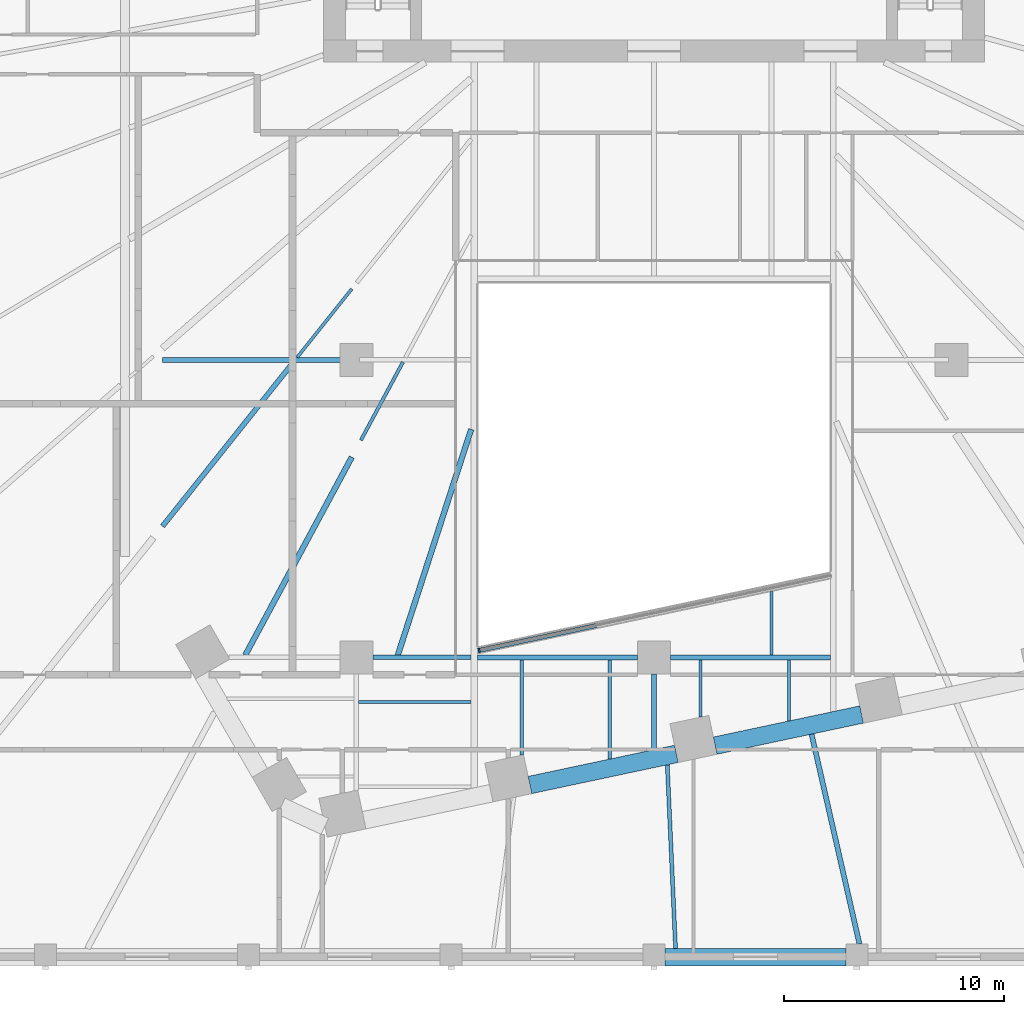
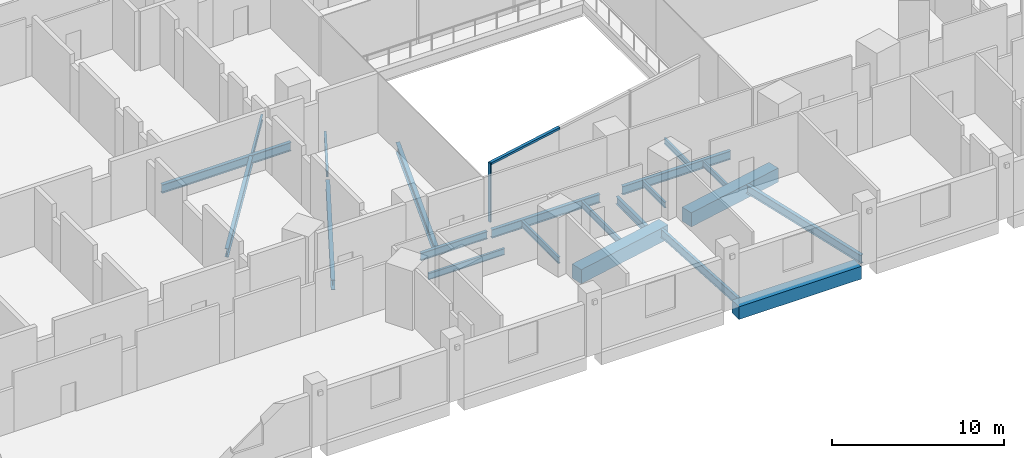
# One storey, part 2 of 33: 21 beams, 2 members, 1 element without a shape of its own.
"""IFC4 building model written with IfcOpenShell, lengths in metres."""

import ifcopenshell
import ifcopenshell.guid

model = None  # the IFC model being written
_history = None  # IfcOwnerHistory: only IFC2X3 demands one
_inside = {}  # id of a spatial element -> (the spatial element, [elements in it])
_under = {}  # id of a project, library or spatial element -> (it, [spatial elements below it])
_declared = {}  # id of a project -> (the project, [libraries it declares])
_typed = {}  # id of a type object -> (the type object, [elements of that type])
_made_of = {}  # id of a material, layer set ... -> (it, [elements and type objects made of it])


def new_model(schema):
    """Start an empty IFC model of exactly this schema.

    Asked for "IFC4X3", IfcOpenShell would pick the latest addendum, in which some entities
    have other attributes; the version numbers below select the first issue.
    IFC2X3 requires an IfcOwnerHistory on every rooted entity: one is made here for all.
    """
    global model, _history
    if schema == "IFC4X3":
        model = ifcopenshell.file(schema_version=(4, 3, 0, 0))
    else:
        model = ifcopenshell.file(schema=schema)
    _inside.clear()
    _under.clear()
    _declared.clear()
    _typed.clear()
    _made_of.clear()
    _history = None
    if model.schema == "IFC2X3":
        org = make("IfcOrganization", Name="unknown")
        user = make(
            "IfcPersonAndOrganization",
            ThePerson=make("IfcPerson", FamilyName="unknown"),
            TheOrganization=org,
        )
        app = make(
            "IfcApplication",
            ApplicationDeveloper=org,
            Version="unknown",
            ApplicationFullName="unknown",
            ApplicationIdentifier="unknown",
        )
        _history = make(
            "IfcOwnerHistory",
            OwningUser=user,
            OwningApplication=app,
            ChangeAction="ADDED",
            CreationDate=0,
        )
    return model


def make(cls, **values):
    """One entity of the class cls with the attributes given. An attribute that is None is left unset."""
    return model.create_entity(
        cls, **{name: value for name, value in values.items() if value is not None}
    )


def rooted(cls, **values):
    """An entity with a GlobalId (a new one), such as an element, a storey or a relation."""
    return make(cls, GlobalId=ifcopenshell.guid.new(), OwnerHistory=_history, **values)


def si_unit(unit_type, name, prefix=None):
    """IfcSIUnit, for example si_unit("LENGTHUNIT", "METRE", prefix="MILLI")."""
    return make("IfcSIUnit", UnitType=unit_type, Prefix=prefix, Name=name)


def assignment(units):
    """IfcUnitAssignment: the units of a project."""
    return None if units is None else make("IfcUnitAssignment", Units=units)


def point(xyz):
    """IfcCartesianPoint."""
    return None if xyz is None else make("IfcCartesianPoint", Coordinates=xyz)


def direction(xyz):
    """IfcDirection."""
    return None if xyz is None else make("IfcDirection", DirectionRatios=xyz)


def frame(location, z_axis=None, x_axis=None):
    """IfcAxis2Placement3D, a coordinate frame: its origin and axes. An axis left out is left unset."""
    return make(
        "IfcAxis2Placement3D",
        Location=point(location),
        Axis=direction(z_axis),
        RefDirection=direction(x_axis),
    )


def frame_2d(location, x_axis=None):
    """IfcAxis2Placement2D, a coordinate frame in the plane: its origin and x axis."""
    return make(
        "IfcAxis2Placement2D", Location=point(location), RefDirection=direction(x_axis)
    )


def origin():
    """The frame at (0, 0, 0) with its axes left unset."""
    return frame((0.0, 0.0, 0.0))


def origin_2d():
    """The frame at (0, 0) in the plane with its x axis left unset."""
    return frame_2d((0.0, 0.0))


def place(relative_to, where):
    """IfcLocalPlacement: puts the frame where relative to a parent placement (None: the world)."""
    return make(
        "IfcLocalPlacement", PlacementRelTo=relative_to, RelativePlacement=where
    )


def context(
    kind, dimensions, precision=None, world=None, true_north=None, identifier=None
):
    """IfcGeometricRepresentationContext, for example the 3D "Model" context."""
    return make(
        "IfcGeometricRepresentationContext",
        ContextIdentifier=identifier,
        ContextType=kind,
        CoordinateSpaceDimension=dimensions,
        Precision=precision,
        WorldCoordinateSystem=world,
        TrueNorth=true_north,
    )


def subcontext(parent, identifier, kind, view, scale=None):
    """IfcGeometricRepresentationSubContext, for example "Body" below "Model"."""
    return make(
        "IfcGeometricRepresentationSubContext",
        ContextIdentifier=identifier,
        ContextType=kind,
        ParentContext=parent,
        TargetScale=scale,
        TargetView=view,
    )


def project(units=None, contexts=None):
    """IfcProject with its units and contexts."""
    return rooted(
        "IfcProject",
        Name="project",
        RepresentationContexts=contexts,
        UnitsInContext=assignment(units),
    )


def spatial(cls, under=None, at=None, **own):
    """A site, building, storey or space (cls), placed at a placement, below another one or the project."""
    s = rooted(cls, ObjectPlacement=at, **own)
    if under is not None:
        _under.setdefault(under.id(), (under, []))[1].append(s)
    return s


def profile(cls, at=None, kind="AREA", **sizes):
    """A parametric profile (cls). Its sizes go by their IFC names, for example OverallWidth=200.0."""
    return make(cls, ProfileType=kind, Position=at, **sizes)


def rectangle(**sizes):
    """IfcRectangleProfileDef."""
    return profile("IfcRectangleProfileDef", **sizes)


def i_section(**sizes):
    """IfcIShapeProfileDef."""
    return profile("IfcIShapeProfileDef", **sizes)


def extrude(swept, where, along, depth):
    """IfcExtrudedAreaSolid: the profile swept, set in the frame where, extruded along a direction by depth."""
    return make(
        "IfcExtrudedAreaSolid",
        SweptArea=swept,
        Position=where,
        ExtrudedDirection=direction(along),
        Depth=depth,
    )


def shape(context_of_items, identifier, shape_type, items):
    """IfcShapeRepresentation: the items that make up one representation, for example the "Body"."""
    return make(
        "IfcShapeRepresentation",
        ContextOfItems=context_of_items,
        RepresentationIdentifier=identifier,
        RepresentationType=shape_type,
        Items=items,
    )


def material(Name=None, Category=None):
    """IfcMaterial."""
    return make("IfcMaterial", Name=Name, Category=Category)


def layer(
    of_material, thickness, ventilated=None, Name=None, Category=None, Priority=None
):
    """IfcMaterialLayer: one layer of a wall or slab, of a material (None: an air gap)."""
    return make(
        "IfcMaterialLayer",
        Material=of_material,
        LayerThickness=thickness,
        IsVentilated=ventilated,
        Name=Name,
        Category=Category,
        Priority=Priority,
    )


def layer_set(layers, Name=None):
    """IfcMaterialLayerSet."""
    return make("IfcMaterialLayerSet", MaterialLayers=layers, LayerSetName=Name)


def material_profile(
    of_material, cross_section, Name=None, Category=None, Priority=None
):
    """IfcMaterialProfile: a cross section and its material."""
    return make(
        "IfcMaterialProfile",
        Name=Name,
        Material=of_material,
        Profile=cross_section,
        Priority=Priority,
        Category=Category,
    )


def profile_set(profiles, Name=None, composite=None):
    """IfcMaterialProfileSet."""
    return make(
        "IfcMaterialProfileSet",
        Name=Name,
        MaterialProfiles=profiles,
        CompositeProfile=composite,
    )


def made_of(thing, what):
    """Note that an element or type object is made of a material, layer set ...; save() writes the relation."""
    if what is not None:
        _made_of.setdefault(what.id(), (what, []))[1].append(thing)
    return thing


def type_object(cls, material=None, **own):
    """A type object (cls), such as IfcWallType, which elements share."""
    return made_of(rooted(cls, **own), material)


def element(
    cls,
    number,
    at=None,
    inside=None,
    cuts=None,
    type_object=None,
    material=None,
    context=None,
    identifier="Body",
    shape_type=None,
    held_by="IfcProductDefinitionShape",
    body=None,
    shapes=None,
    **own,
):
    """One element of the class cls, such as IfcWall. Its Tag is "e" and its number.

    at: its placement. inside: the storey or other place that contains it. cuts: it is an
    opening in that element (IfcRelVoidsElement). A single representation is given by context,
    identifier, shape_type and body (its items); several are given by shapes. held_by: the class
    of the entity that holds the representations. save() writes the other relations.
    """
    e = rooted(cls, Tag="e%d" % number, ObjectPlacement=at, **own)
    if body is not None:
        shapes = [shape(context, identifier, shape_type, body)]
    if shapes is not None:
        e.Representation = make(held_by, Representations=shapes)
    if inside is not None:
        _inside.setdefault(inside.id(), (inside, []))[1].append(e)
    if cuts is not None:
        rooted(
            "IfcRelVoidsElement", RelatingBuildingElement=cuts, RelatedOpeningElement=e
        )
    if type_object is not None:
        _typed.setdefault(type_object.id(), (type_object, []))[1].append(e)
    return made_of(e, material)


def aggregate(whole, parts):
    """IfcRelAggregates: a whole, such as a stair, and the parts it consists of."""
    return rooted("IfcRelAggregates", RelatingObject=whole, RelatedObjects=parts)


def save(model, path):
    """Write the relations noted so far, then the file.

    IfcRelAggregates (storeys below a building ...), IfcRelContainedInSpatialStructure (elements
    in a storey), IfcRelDefinesByType, IfcRelAssociatesMaterial and IfcRelDeclares: one each for
    every whole, place, type object, material and project.
    """
    for whole, parts in _under.values():
        aggregate(whole, parts)
    for where, things in _inside.values():
        rooted(
            "IfcRelContainedInSpatialStructure",
            RelatedElements=things,
            RelatingStructure=where,
        )
    for kind, things in _typed.values():
        rooted("IfcRelDefinesByType", RelatedObjects=things, RelatingType=kind)
    for what, things in _made_of.values():
        rooted("IfcRelAssociatesMaterial", RelatedObjects=things, RelatingMaterial=what)
    for by, libraries in _declared.values():
        rooted("IfcRelDeclares", RelatingContext=by, RelatedDefinitions=libraries)
    model.write(path)


model = new_model("IFC4")

# Units and contexts
model_context = context("Model", 3, precision=1e-05, world=origin(), true_north=direction((0.0, 1.0)))
body_context = subcontext(model_context, "Body", "Model", "MODEL_VIEW")
ifc_project = project(units=[si_unit("LENGTHUNIT", "METRE"), si_unit("AREAUNIT", "SQUARE_METRE"), si_unit("VOLUMEUNIT", "CUBIC_METRE"), si_unit("PLANEANGLEUNIT", "RADIAN"), si_unit("MASSUNIT", "GRAM", prefix="KILO")], contexts=[model_context])

# Site, building, storey
site_placement = place(None, origin())
site = spatial("IfcSite", under=ifc_project, at=site_placement, CompositionType="ELEMENT")
building_placement = place(site_placement, origin())
building = spatial("IfcBuilding", under=site, at=building_placement, Name="Isthmus Gate Tower", CompositionType="ELEMENT")
storey_placement = place(building_placement, frame((0.0, 0.0, 22.5)))
storey = spatial("IfcBuildingStorey", under=building, at=storey_placement, Name="L03", CompositionType="ELEMENT", Elevation=22.5)

# Curtain wall, members
ifc_material_1 = material(Name="Aluminium, pale champagne anodised", Category="aluminium")
ifc_layer = layer(ifc_material_1, 0.199951171875)
ifc_layer_set = layer_set([ifc_layer], Name="CW-4 ATRIUM CURTAIN WALL 200 DEEP")
curtain_wall_type = type_object("IfcCurtainWallType", Name="CW-4 ATRIUM CURTAIN WALL 200 DEEP", PredefinedType="NOTDEFINED", material=ifc_layer_set)
curtain_wall_placement = place(storey_placement, origin())
curtain_wall = element("IfcCurtainWall", 1, at=curtain_wall_placement, inside=storey, type_object=curtain_wall_type, Name="CW-4 atrium south L03", PredefinedType="NOTDEFINED")
ifc_material_2 = material(Name="Aluminium, pale champagne anodised", Category="aluminium")
ifc_material_profile_1 = material_profile(ifc_material_2, rectangle(XDim=0.080078125, YDim=0.199951171875, at=origin_2d()), Name="80x200")
ifc_profile_set_1 = profile_set([ifc_material_profile_1], Name="Aluminium, pale champagne anodised")
member_type_1 = type_object("IfcMemberType", Name="CW-4 MULLION 80 X 200", PredefinedType="MULLION", material=ifc_profile_set_1)
member_1_placement = place(storey_placement, frame((-7.9296875, -26.682373046875, 0.0), z_axis=(0.0, 0.0, 1.0), x_axis=(0.978147600734, 0.207911690818, 0.0)))
member_1 = element("IfcMember", 2, at=member_1_placement, type_object=member_type_1, Name="CW-4 mullion", PredefinedType="MULLION", context=body_context, shape_type="SweptSolid", body=[
    extrude(rectangle(XDim=0.080078125, YDim=0.199951171875, at=origin_2d()), origin(), (0.0, 0.0, 1.0), 4.199951171875),
])
ifc_material_3 = material(Name="Aluminium, pale champagne anodised", Category="aluminium")
ifc_material_profile_2 = material_profile(ifc_material_3, rectangle(XDim=0.199951171875, YDim=0.14990234375, at=origin_2d()), Name="200x150")
ifc_profile_set_2 = profile_set([ifc_material_profile_2], Name="Aluminium, pale champagne anodised")
member_type_2 = type_object("IfcMemberType", Name="CW-4 TRANSOM 200 X 150", PredefinedType="USERDEFINED", material=ifc_profile_set_2)
member_2_placement = place(storey_placement, frame((-7.890625, -26.674072265625, 4.125), z_axis=(0.978150188204, 0.207899517354, 0.0), x_axis=(-0.207899517354, 0.978150188204, 0.0)))
member_2 = element("IfcMember", 3, at=member_2_placement, type_object=member_type_2, Name="CW-4 transom", ObjectType="TRANSOM", PredefinedType="USERDEFINED", context=body_context, shape_type="SweptSolid", body=[
    extrude(rectangle(XDim=0.199951171875, YDim=0.14990234375, at=origin_2d()), origin(), (0.0, 0.0, 1.0), 5.37255859375),
])
aggregate(curtain_wall, [member_1, member_2])

# Beams
ifc_material_4 = material(Name="Concrete f'c 70 MPa", Category="concrete")
ifc_material_profile_3 = material_profile(ifc_material_4, rectangle(XDim=0.800048828125, YDim=0.89990234375, at=origin_2d()), Name="RC 800X900")
ifc_profile_set_3 = profile_set([ifc_material_profile_3], Name="Concrete f'c 70 MPa")
beam_type_1 = type_object("IfcBeamType", Name="RC EDGE BEAM 800 X 900", PredefinedType="BEAM", material=ifc_profile_set_3)
beam_1_placement = place(storey_placement, frame((8.699951171875, -40.60009765625, -0.75), z_axis=(-1.0, 0.0, 0.0), x_axis=(0.0, -1.0, 0.0)))
element("IfcBeam", 4, at=beam_1_placement, inside=storey, type_object=beam_type_1, Name="str-edgebeam-L03-32", PredefinedType="BEAM", context=body_context, shape_type="SweptSolid", body=[
    extrude(rectangle(XDim=0.800048828125, YDim=0.89990234375, at=origin_2d()), origin(), (0.0, 0.0, 1.0), 8.199951171875),
])
ifc_material_5 = material(Name="Concrete f'c 70 MPa", Category="concrete")
ifc_material_profile_4 = material_profile(ifc_material_5, rectangle(XDim=0.800048828125, YDim=1.0, at=origin_2d()), Name="RC 800X1000")
ifc_profile_set_4 = profile_set([ifc_material_profile_4], Name="Concrete f'c 70 MPa")
beam_type_2 = type_object("IfcBeamType", Name="RC TUBE RING BEAM 800 X 1000", PredefinedType="BEAM", material=ifc_profile_set_4)
for number, where, z_axis, x_axis, name in (
    (5, (9.415771484375, -29.589599609375, -0.800048828125), (-0.978145779981, -0.207920256603, 0.0), (0.207920256603, -0.978145779981, 0.0), "str-ringbeam-L03-09"),
    (6, (1.01416015625, -31.37548828125, -0.800048828125), (-0.978145779981, -0.207920256603, 0.0), (0.207920256603, -0.978145779981, 0.0), "str-ringbeam-L03-10"),
):
    element("IfcBeam", number, at=place(storey_placement, frame(where, z_axis=z_axis, x_axis=x_axis)), inside=storey, type_object=beam_type_2, Name=name, PredefinedType="BEAM", context=body_context, shape_type="SweptSolid", body=[
        extrude(rectangle(XDim=0.800048828125, YDim=1.0, at=origin_2d()), origin(), (0.0, 0.0, 1.0), 6.789306640625),
    ])
ifc_material_6 = material(Name="Structural steel ASTM A992 Gr 50", Category="steel")
ifc_material_profile_5 = material_profile(ifc_material_6, i_section(OverallWidth=0.1396484375, OverallDepth=0.4033203125, WebThickness=0.00634765625, FlangeThickness=0.010986328125, at=origin_2d()), Name="W16X31")
ifc_profile_set_5 = profile_set([ifc_material_profile_5], Name="Structural steel ASTM A992 Gr 50")
beam_type_3 = type_object("IfcBeamType", Name="STEEL FLOOR BEAM W16X31", PredefinedType="JOIST", material=ifc_profile_set_5)
beam_2_placement = place(storey_placement, frame((-13.7080078125, -10.284912109375, -0.501708984375), z_axis=(-0.62350073191, -0.781822765918, 0.0), x_axis=(0.781822765918, -0.62350073191, 0.0)))
element("IfcBeam", 7, at=beam_2_placement, inside=storey, type_object=beam_type_3, Name="str-beam-L03-15-38", PredefinedType="JOIST", context=body_context, shape_type="SweptSolid", body=[
    extrude(i_section(OverallWidth=0.1396484375, OverallDepth=0.4033203125, WebThickness=0.00634765625, FlangeThickness=0.010986328125, at=origin_2d()), origin(), (0.0, 0.0, 1.0), 3.966064453125),
])
beam_3_placement = place(storey_placement, frame((5.333251953125, -26.8857421875, -0.501708984375), z_axis=(0.0, 1.0, 0.0), x_axis=(-1.0, 0.0, 0.0)))
element("IfcBeam", 8, at=beam_3_placement, inside=storey, type_object=beam_type_3, Name="str-beam-L03-16-00", PredefinedType="JOIST", context=body_context, shape_type="SweptSolid", body=[
    extrude(i_section(OverallWidth=0.1396484375, OverallDepth=0.4033203125, WebThickness=0.00634765625, FlangeThickness=0.010986328125, at=origin_2d()), origin(), (0.0, 0.0, 1.0), 2.877197265625),
])
beam_4_placement = place(storey_placement, frame((2.111572265625, -29.7109375, -0.501708984375), z_axis=(0.0, 1.0, 0.0), x_axis=(-1.0, 0.0, 0.0)))
element("IfcBeam", 9, at=beam_4_placement, inside=storey, type_object=beam_type_3, Name="str-beam-L03-17-00", PredefinedType="JOIST", context=body_context, shape_type="SweptSolid", body=[
    extrude(i_section(OverallWidth=0.1396484375, OverallDepth=0.4033203125, WebThickness=0.00634765625, FlangeThickness=0.010986328125, at=origin_2d()), origin(), (0.0, 0.0, 1.0), 2.5966796875),
])
beam_5_placement = place(storey_placement, frame((6.125, -29.880126953125, -0.501708984375), z_axis=(0.0, 1.0, 0.0), x_axis=(-1.0, 0.0, 0.0)))
element("IfcBeam", 10, at=beam_5_placement, inside=storey, type_object=beam_type_3, Name="str-beam-L03-17-01", PredefinedType="JOIST", context=body_context, shape_type="SweptSolid", body=[
    extrude(i_section(OverallWidth=0.1396484375, OverallDepth=0.4033203125, WebThickness=0.00634765625, FlangeThickness=0.010986328125, at=origin_2d()), origin(), (0.0, 0.0, 1.0), 2.765869140625),
])
ifc_material_7 = material(Name="Structural steel ASTM A992 Gr 50", Category="steel")
ifc_material_profile_6 = material_profile(ifc_material_7, i_section(OverallWidth=0.15234375, OverallDepth=0.45068359375, WebThickness=0.0078125, FlangeThickness=0.010986328125, at=origin_2d()), Name="W18X35")
ifc_profile_set_6 = profile_set([ifc_material_profile_6], Name="Structural steel ASTM A992 Gr 50")
beam_type_4 = type_object("IfcBeamType", Name="STEEL FLOOR BEAM W18X35", PredefinedType="JOIST", material=ifc_profile_set_6)
beam_6_placement = place(storey_placement, frame((-13.395263671875, -29.022705078125, -0.525390625), z_axis=(1.0, 0.0, 0.0), x_axis=(0.0, 1.0, 0.0)))
element("IfcBeam", 11, at=beam_6_placement, inside=storey, type_object=beam_type_4, Name="str-beam-L03-10-01", PredefinedType="JOIST", context=body_context, shape_type="SweptSolid", body=[
    extrude(i_section(OverallWidth=0.15234375, OverallDepth=0.45068359375, WebThickness=0.0078125, FlangeThickness=0.010986328125, at=origin_2d()), origin(), (0.0, 0.0, 1.0), 5.103271484375),
])
beam_7_placement = place(storey_placement, frame((-6.0, -31.43505859375, -0.525390625), z_axis=(0.0, 1.0, 0.0), x_axis=(-1.0, 0.0, 0.0)))
element("IfcBeam", 12, at=beam_7_placement, inside=storey, type_object=beam_type_4, Name="str-beam-L03-13-00", PredefinedType="JOIST", context=body_context, shape_type="SweptSolid", body=[
    extrude(i_section(OverallWidth=0.15234375, OverallDepth=0.45068359375, WebThickness=0.0078125, FlangeThickness=0.010986328125, at=origin_2d()), origin(), (0.0, 0.0, 1.0), 4.32080078125),
])
beam_8_placement = place(storey_placement, frame((-2.0, -31.607177734375, -0.525390625), z_axis=(0.0, 1.0, 0.0), x_axis=(-1.0, 0.0, 0.0)))
element("IfcBeam", 13, at=beam_8_placement, inside=storey, type_object=beam_type_4, Name="str-beam-L03-13-01", PredefinedType="JOIST", context=body_context, shape_type="SweptSolid", body=[
    extrude(i_section(OverallWidth=0.15234375, OverallDepth=0.45068359375, WebThickness=0.0078125, FlangeThickness=0.010986328125, at=origin_2d()), origin(), (0.0, 0.0, 1.0), 4.492919921875),
])
beam_9_placement = place(storey_placement, frame((-11.386962890625, -13.604736328125, -0.525390625), z_axis=(-0.473853553321, -0.880603662271, 0.0), x_axis=(0.880603662271, -0.473853553321, 0.0)))
element("IfcBeam", 14, at=beam_9_placement, inside=storey, type_object=beam_type_4, Name="str-beam-L03-15-42", PredefinedType="JOIST", context=body_context, shape_type="SweptSolid", body=[
    extrude(i_section(OverallWidth=0.15234375, OverallDepth=0.45068359375, WebThickness=0.0078125, FlangeThickness=0.010986328125, at=origin_2d()), origin(), (0.0, 0.0, 1.0), 4.020263671875),
])
ifc_material_8 = material(Name="Structural steel ASTM A992 Gr 50", Category="steel")
ifc_material_profile_7 = material_profile(ifc_material_8, i_section(OverallWidth=0.177734375, OverallDepth=0.60009765625, WebThickness=0.009521484375, FlangeThickness=0.0126953125, at=origin_2d()), Name="W24X55")
ifc_profile_set_7 = profile_set([ifc_material_profile_7], Name="Structural steel ASTM A992 Gr 50")
beam_type_5 = type_object("IfcBeamType", Name="STEEL FLOOR BEAM W24X55", PredefinedType="JOIST", material=ifc_profile_set_7)
beam_10_placement = place(storey_placement, frame((0.60302734375, -31.871826171875, -0.60009765625), z_axis=(0.044865657863, -0.998993029377, 0.0), x_axis=(0.998993029377, 0.044865657863, 0.0)))
element("IfcBeam", 15, at=beam_10_placement, inside=storey, type_object=beam_type_5, Name="str-beam-L03-15-48", PredefinedType="JOIST", context=body_context, shape_type="SweptSolid", body=[
    extrude(i_section(OverallWidth=0.177734375, OverallDepth=0.60009765625, WebThickness=0.009521484375, FlangeThickness=0.0126953125, at=origin_2d()), origin(), (0.0, 0.0, 1.0), 8.33642578125),
])
ifc_material_9 = material(Name="Structural steel ASTM A992 Gr 50", Category="steel")
ifc_material_profile_8 = material_profile(ifc_material_9, i_section(OverallWidth=0.228515625, OverallDepth=0.603271484375, WebThickness=0.010986328125, FlangeThickness=0.014404296875, at=origin_2d()), Name="W24X68")
ifc_profile_set_8 = profile_set([ifc_material_profile_8], Name="Structural steel ASTM A992 Gr 50")
beam_type_6 = type_object("IfcBeamType", Name="STEEL FLOOR BEAM W24X68", PredefinedType="JOIST", material=ifc_profile_set_8)
beam_11_placement = place(storey_placement, frame((-16.363037109375, -13.6142578125, -0.6015625), z_axis=(-0.623495143329, -0.781827222757, 0.0), x_axis=(0.781827222757, -0.623495143329, 0.0)))
element("IfcBeam", 16, at=beam_11_placement, inside=storey, type_object=beam_type_6, Name="str-beam-L03-15-39", PredefinedType="JOIST", context=body_context, shape_type="SweptSolid", body=[
    extrude(i_section(OverallWidth=0.228515625, OverallDepth=0.603271484375, WebThickness=0.010986328125, FlangeThickness=0.014404296875, at=origin_2d()), origin(), (0.0, 0.0, 1.0), 9.50927734375),
])
beam_12_placement = place(storey_placement, frame((7.146728515625, -30.48095703125, -0.6015625), z_axis=(0.222539636448, -0.974923643271, 0.0), x_axis=(0.974923643271, 0.222539636448, 0.0)))
element("IfcBeam", 17, at=beam_12_placement, inside=storey, type_object=beam_type_6, Name="str-beam-L03-15-49", PredefinedType="JOIST", context=body_context, shape_type="SweptSolid", body=[
    extrude(i_section(OverallWidth=0.228515625, OverallDepth=0.603271484375, WebThickness=0.010986328125, FlangeThickness=0.014404296875, at=origin_2d()), origin(), (0.0, 0.0, 1.0), 9.763916015625),
])
ifc_material_10 = material(Name="Structural steel ASTM A992 Gr 50", Category="steel")
ifc_material_profile_9 = material_profile(ifc_material_10, i_section(OverallWidth=0.25390625, OverallDepth=0.679443359375, WebThickness=0.010986328125, FlangeThickness=0.015869140625, at=origin_2d()), Name="W27X84")
ifc_profile_set_9 = profile_set([ifc_material_profile_9], Name="Structural steel ASTM A992 Gr 50")
beam_type_7 = type_object("IfcBeamType", Name="STEEL FLOOR BEAM W27X84", PredefinedType="JOIST", material=ifc_profile_set_9)
beam_13_placement = place(storey_placement, frame((-13.7080078125, -17.91796875, -0.6396484375), z_axis=(-0.473862740787, -0.880598718426, 0.0), x_axis=(0.880598718426, -0.473862740787, 0.0)))
element("IfcBeam", 18, at=beam_13_placement, inside=storey, type_object=beam_type_7, Name="str-beam-L03-15-43", PredefinedType="JOIST", context=body_context, shape_type="SweptSolid", body=[
    extrude(i_section(OverallWidth=0.25390625, OverallDepth=0.679443359375, WebThickness=0.010986328125, FlangeThickness=0.015869140625, at=origin_2d()), origin(), (0.0, 0.0, 1.0), 10.194580078125),
])
beam_14_placement = place(storey_placement, frame((-8.2919921875, -16.650634765625, -0.6396484375), z_axis=(-0.309031748554, -0.951051722245, 0.0), x_axis=(0.951051722245, -0.309031748554, 0.0)))
element("IfcBeam", 19, at=beam_14_placement, inside=storey, type_object=beam_type_7, Name="str-beam-L03-15-45", PredefinedType="JOIST", context=body_context, shape_type="SweptSolid", body=[
    extrude(i_section(OverallWidth=0.25390625, OverallDepth=0.679443359375, WebThickness=0.010986328125, FlangeThickness=0.015869140625, at=origin_2d()), origin(), (0.0, 0.0, 1.0), 10.77197265625),
])
ifc_material_11 = material(Name="Structural steel ASTM A992 Gr 50", Category="steel")
ifc_material_profile_10 = material_profile(ifc_material_11, i_section(OverallWidth=0.20947265625, OverallDepth=0.533447265625, WebThickness=0.009521484375, FlangeThickness=0.015869140625, at=origin_2d()), Name="W21X62")
ifc_profile_set_10 = profile_set([ifc_material_profile_10], Name="Structural steel ASTM A992 Gr 50")
beam_type_8 = type_object("IfcBeamType", Name="STEEL GIRDER W21X62", PredefinedType="BEAM", material=ifc_profile_set_10)
beam_15_placement = place(storey_placement, frame((-12.75, -27.0, -0.566650390625), z_axis=(1.0, 0.0, 0.0), x_axis=(0.0, 1.0, 0.0)))
element("IfcBeam", 20, at=beam_15_placement, inside=storey, type_object=beam_type_8, Name="str-girder-L03-02", PredefinedType="BEAM", context=body_context, shape_type="SweptSolid", body=[
    extrude(i_section(OverallWidth=0.20947265625, OverallDepth=0.533447265625, WebThickness=0.009521484375, FlangeThickness=0.015869140625, at=origin_2d()), origin(), (0.0, 0.0, 1.0), 4.4580078125),
])
beam_16_placement = place(storey_placement, frame((0.0, -31.18212890625, -0.566650390625), z_axis=(0.0, 1.0, 0.0), x_axis=(-1.0, 0.0, 0.0)))
element("IfcBeam", 21, at=beam_16_placement, inside=storey, type_object=beam_type_8, Name="str-girder-L03-26", PredefinedType="BEAM", context=body_context, shape_type="SweptSolid", body=[
    extrude(i_section(OverallWidth=0.20947265625, OverallDepth=0.533447265625, WebThickness=0.009521484375, FlangeThickness=0.015869140625, at=origin_2d()), origin(), (0.0, 0.0, 1.0), 3.43212890625),
])
ifc_material_12 = material(Name="Structural steel ASTM A992 Gr 50", Category="steel")
ifc_material_profile_11 = material_profile(ifc_material_12, i_section(OverallWidth=0.228515625, OverallDepth=0.603271484375, WebThickness=0.010986328125, FlangeThickness=0.014404296875, at=origin_2d()), Name="W24X68")
ifc_profile_set_11 = profile_set([ifc_material_profile_11], Name="Structural steel ASTM A992 Gr 50")
beam_type_9 = type_object("IfcBeamType", Name="STEEL GIRDER W24X68", PredefinedType="BEAM", material=ifc_profile_set_11)
for number, where, z_axis, x_axis, name in (
    (22, (-8.0, -27.0, -0.6015625), (1.0, 0.0, 0.0), (0.0, 1.0, 0.0), "str-girder-L03-03"),
    (23, (0.75, -27.0, -0.6015625), (1.0, 0.0, 0.0), (0.0, 1.0, 0.0), "str-girder-L03-04"),
):
    element("IfcBeam", number, at=place(storey_placement, frame(where, z_axis=z_axis, x_axis=x_axis)), inside=storey, type_object=beam_type_9, Name=name, PredefinedType="BEAM", context=body_context, shape_type="SweptSolid", body=[
        extrude(i_section(OverallWidth=0.228515625, OverallDepth=0.603271484375, WebThickness=0.010986328125, FlangeThickness=0.014404296875, at=origin_2d()), origin(), (0.0, 0.0, 1.0), 7.25),
    ])
ifc_material_13 = material(Name="Structural steel ASTM A992 Gr 50", Category="steel")
ifc_material_profile_12 = material_profile(ifc_material_13, i_section(OverallWidth=0.228515625, OverallDepth=0.6064453125, WebThickness=0.010986328125, FlangeThickness=0.017578125, at=origin_2d()), Name="W24X76")
ifc_profile_set_12 = profile_set([ifc_material_profile_12], Name="Structural steel ASTM A992 Gr 50")
beam_type_10 = type_object("IfcBeamType", Name="STEEL GIRDER W24X76", PredefinedType="BEAM", material=ifc_profile_set_12)
beam_17_placement = place(storey_placement, frame((-22.2919921875, -13.5, -0.603271484375), z_axis=(1.0, 0.0, 0.0), x_axis=(0.0, 1.0, 0.0)))
element("IfcBeam", 24, at=beam_17_placement, inside=storey, type_object=beam_type_10, Name="str-girder-L03-05", PredefinedType="BEAM", context=body_context, shape_type="SweptSolid", body=[
    extrude(i_section(OverallWidth=0.228515625, OverallDepth=0.6064453125, WebThickness=0.010986328125, FlangeThickness=0.017578125, at=origin_2d()), origin(), (0.0, 0.0, 1.0), 8.6396484375),
])

save(model, "model.ifc")
